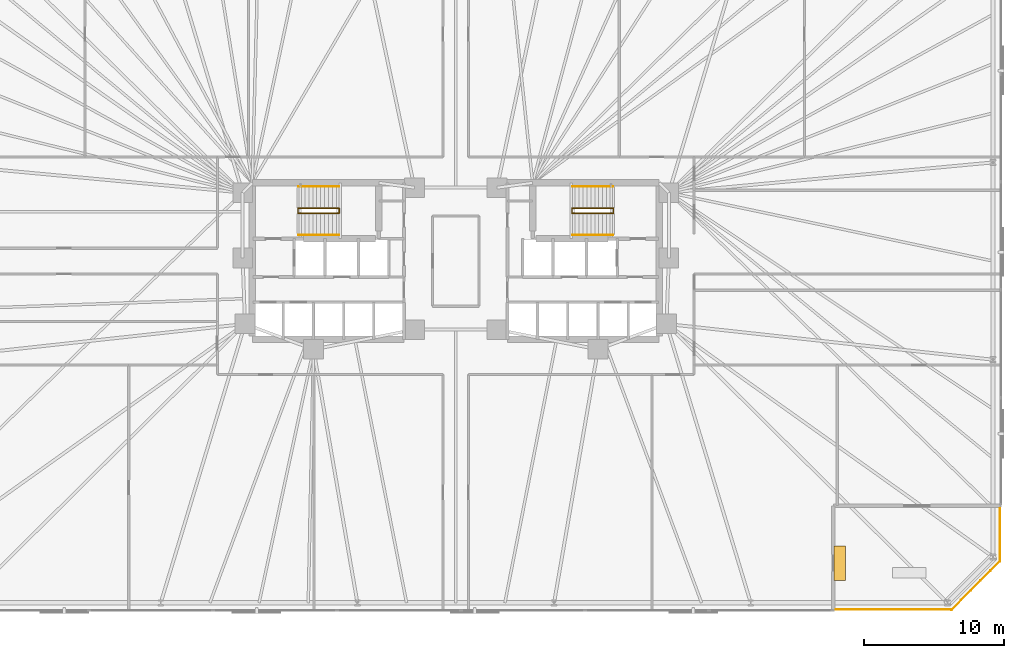
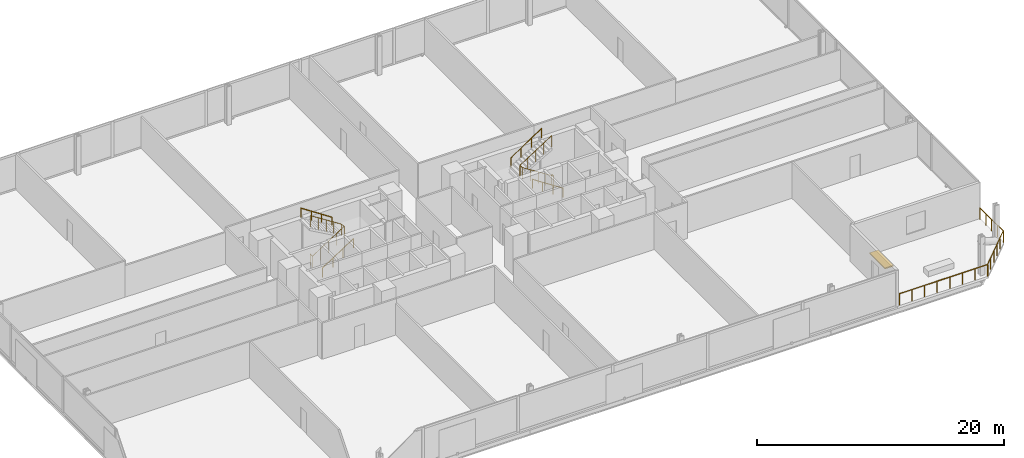
# One storey, part 17 of 17: 9 railings, 1 shading device.
"""IFC4 building model written with IfcOpenShell, lengths in metres."""

import ifcopenshell
import ifcopenshell.guid

model = None  # the IFC model being written
_history = None  # IfcOwnerHistory: only IFC2X3 demands one
_inside = {}  # id of a spatial element -> (the spatial element, [elements in it])
_under = {}  # id of a project, library or spatial element -> (it, [spatial elements below it])
_declared = {}  # id of a project -> (the project, [libraries it declares])
_typed = {}  # id of a type object -> (the type object, [elements of that type])
_made_of = {}  # id of a material, layer set ... -> (it, [elements and type objects made of it])


def new_model(schema):
    """Start an empty IFC model of exactly this schema.

    Asked for "IFC4X3", IfcOpenShell would pick the latest addendum, in which some entities
    have other attributes; the version numbers below select the first issue.
    IFC2X3 requires an IfcOwnerHistory on every rooted entity: one is made here for all.
    """
    global model, _history
    if schema == "IFC4X3":
        model = ifcopenshell.file(schema_version=(4, 3, 0, 0))
    else:
        model = ifcopenshell.file(schema=schema)
    _inside.clear()
    _under.clear()
    _declared.clear()
    _typed.clear()
    _made_of.clear()
    _history = None
    if model.schema == "IFC2X3":
        org = make("IfcOrganization", Name="unknown")
        user = make(
            "IfcPersonAndOrganization",
            ThePerson=make("IfcPerson", FamilyName="unknown"),
            TheOrganization=org,
        )
        app = make(
            "IfcApplication",
            ApplicationDeveloper=org,
            Version="unknown",
            ApplicationFullName="unknown",
            ApplicationIdentifier="unknown",
        )
        _history = make(
            "IfcOwnerHistory",
            OwningUser=user,
            OwningApplication=app,
            ChangeAction="ADDED",
            CreationDate=0,
        )
    return model


def make(cls, **values):
    """One entity of the class cls with the attributes given. An attribute that is None is left unset."""
    return model.create_entity(
        cls, **{name: value for name, value in values.items() if value is not None}
    )


def rooted(cls, **values):
    """An entity with a GlobalId (a new one), such as an element, a storey or a relation."""
    return make(cls, GlobalId=ifcopenshell.guid.new(), OwnerHistory=_history, **values)


def si_unit(unit_type, name, prefix=None):
    """IfcSIUnit, for example si_unit("LENGTHUNIT", "METRE", prefix="MILLI")."""
    return make("IfcSIUnit", UnitType=unit_type, Prefix=prefix, Name=name)


def assignment(units):
    """IfcUnitAssignment: the units of a project."""
    return None if units is None else make("IfcUnitAssignment", Units=units)


def point(xyz):
    """IfcCartesianPoint."""
    return None if xyz is None else make("IfcCartesianPoint", Coordinates=xyz)


def direction(xyz):
    """IfcDirection."""
    return None if xyz is None else make("IfcDirection", DirectionRatios=xyz)


def frame(location, z_axis=None, x_axis=None):
    """IfcAxis2Placement3D, a coordinate frame: its origin and axes. An axis left out is left unset."""
    return make(
        "IfcAxis2Placement3D",
        Location=point(location),
        Axis=direction(z_axis),
        RefDirection=direction(x_axis),
    )


def frame_2d(location, x_axis=None):
    """IfcAxis2Placement2D, a coordinate frame in the plane: its origin and x axis."""
    return make(
        "IfcAxis2Placement2D", Location=point(location), RefDirection=direction(x_axis)
    )


def origin():
    """The frame at (0, 0, 0) with its axes left unset."""
    return frame((0.0, 0.0, 0.0))


def origin_2d():
    """The frame at (0, 0) in the plane with its x axis left unset."""
    return frame_2d((0.0, 0.0))


def place(relative_to, where):
    """IfcLocalPlacement: puts the frame where relative to a parent placement (None: the world)."""
    return make(
        "IfcLocalPlacement", PlacementRelTo=relative_to, RelativePlacement=where
    )


def context(
    kind, dimensions, precision=None, world=None, true_north=None, identifier=None
):
    """IfcGeometricRepresentationContext, for example the 3D "Model" context."""
    return make(
        "IfcGeometricRepresentationContext",
        ContextIdentifier=identifier,
        ContextType=kind,
        CoordinateSpaceDimension=dimensions,
        Precision=precision,
        WorldCoordinateSystem=world,
        TrueNorth=true_north,
    )


def subcontext(parent, identifier, kind, view, scale=None):
    """IfcGeometricRepresentationSubContext, for example "Body" below "Model"."""
    return make(
        "IfcGeometricRepresentationSubContext",
        ContextIdentifier=identifier,
        ContextType=kind,
        ParentContext=parent,
        TargetScale=scale,
        TargetView=view,
    )


def project(units=None, contexts=None):
    """IfcProject with its units and contexts."""
    return rooted(
        "IfcProject",
        Name="project",
        RepresentationContexts=contexts,
        UnitsInContext=assignment(units),
    )


def spatial(cls, under=None, at=None, **own):
    """A site, building, storey or space (cls), placed at a placement, below another one or the project."""
    s = rooted(cls, ObjectPlacement=at, **own)
    if under is not None:
        _under.setdefault(under.id(), (under, []))[1].append(s)
    return s


def profile(cls, at=None, kind="AREA", **sizes):
    """A parametric profile (cls). Its sizes go by their IFC names, for example OverallWidth=200.0."""
    return make(cls, ProfileType=kind, Position=at, **sizes)


def rectangle(**sizes):
    """IfcRectangleProfileDef."""
    return profile("IfcRectangleProfileDef", **sizes)


def circle(**sizes):
    """IfcCircleProfileDef."""
    return profile("IfcCircleProfileDef", **sizes)


def extrude(swept, where, along, depth):
    """IfcExtrudedAreaSolid: the profile swept, set in the frame where, extruded along a direction by depth."""
    return make(
        "IfcExtrudedAreaSolid",
        SweptArea=swept,
        Position=where,
        ExtrudedDirection=direction(along),
        Depth=depth,
    )


def shape(context_of_items, identifier, shape_type, items):
    """IfcShapeRepresentation: the items that make up one representation, for example the "Body"."""
    return make(
        "IfcShapeRepresentation",
        ContextOfItems=context_of_items,
        RepresentationIdentifier=identifier,
        RepresentationType=shape_type,
        Items=items,
    )


def material(Name=None, Category=None):
    """IfcMaterial."""
    return make("IfcMaterial", Name=Name, Category=Category)


def layer(
    of_material, thickness, ventilated=None, Name=None, Category=None, Priority=None
):
    """IfcMaterialLayer: one layer of a wall or slab, of a material (None: an air gap)."""
    return make(
        "IfcMaterialLayer",
        Material=of_material,
        LayerThickness=thickness,
        IsVentilated=ventilated,
        Name=Name,
        Category=Category,
        Priority=Priority,
    )


def layer_set(layers, Name=None):
    """IfcMaterialLayerSet."""
    return make("IfcMaterialLayerSet", MaterialLayers=layers, LayerSetName=Name)


def made_of(thing, what):
    """Note that an element or type object is made of a material, layer set ...; save() writes the relation."""
    if what is not None:
        _made_of.setdefault(what.id(), (what, []))[1].append(thing)
    return thing


def type_object(cls, material=None, **own):
    """A type object (cls), such as IfcWallType, which elements share."""
    return made_of(rooted(cls, **own), material)


def element(
    cls,
    number,
    at=None,
    inside=None,
    cuts=None,
    type_object=None,
    material=None,
    context=None,
    identifier="Body",
    shape_type=None,
    held_by="IfcProductDefinitionShape",
    body=None,
    shapes=None,
    **own,
):
    """One element of the class cls, such as IfcWall. Its Tag is "e" and its number.

    at: its placement. inside: the storey or other place that contains it. cuts: it is an
    opening in that element (IfcRelVoidsElement). A single representation is given by context,
    identifier, shape_type and body (its items); several are given by shapes. held_by: the class
    of the entity that holds the representations. save() writes the other relations.
    """
    e = rooted(cls, Tag="e%d" % number, ObjectPlacement=at, **own)
    if body is not None:
        shapes = [shape(context, identifier, shape_type, body)]
    if shapes is not None:
        e.Representation = make(held_by, Representations=shapes)
    if inside is not None:
        _inside.setdefault(inside.id(), (inside, []))[1].append(e)
    if cuts is not None:
        rooted(
            "IfcRelVoidsElement", RelatingBuildingElement=cuts, RelatedOpeningElement=e
        )
    if type_object is not None:
        _typed.setdefault(type_object.id(), (type_object, []))[1].append(e)
    return made_of(e, material)


def aggregate(whole, parts):
    """IfcRelAggregates: a whole, such as a stair, and the parts it consists of."""
    return rooted("IfcRelAggregates", RelatingObject=whole, RelatedObjects=parts)


def save(model, path):
    """Write the relations noted so far, then the file.

    IfcRelAggregates (storeys below a building ...), IfcRelContainedInSpatialStructure (elements
    in a storey), IfcRelDefinesByType, IfcRelAssociatesMaterial and IfcRelDeclares: one each for
    every whole, place, type object, material and project.
    """
    for whole, parts in _under.values():
        aggregate(whole, parts)
    for where, things in _inside.values():
        rooted(
            "IfcRelContainedInSpatialStructure",
            RelatedElements=things,
            RelatingStructure=where,
        )
    for kind, things in _typed.values():
        rooted("IfcRelDefinesByType", RelatedObjects=things, RelatingType=kind)
    for what, things in _made_of.values():
        rooted("IfcRelAssociatesMaterial", RelatedObjects=things, RelatingMaterial=what)
    for by, libraries in _declared.values():
        rooted("IfcRelDeclares", RelatingContext=by, RelatedDefinitions=libraries)
    model.write(path)


model = new_model("IFC4")

# Units and contexts
model_context = context("Model", 3, precision=1e-05, world=origin(), true_north=direction((0.0, 1.0)))
body_context = subcontext(model_context, "Body", "Model", "MODEL_VIEW")
ifc_project = project(units=[si_unit("LENGTHUNIT", "METRE"), si_unit("AREAUNIT", "SQUARE_METRE"), si_unit("VOLUMEUNIT", "CUBIC_METRE"), si_unit("PLANEANGLEUNIT", "RADIAN"), si_unit("MASSUNIT", "GRAM", prefix="KILO")], contexts=[model_context])

# Site, building, storey
site_placement = place(None, origin())
site = spatial("IfcSite", under=ifc_project, at=site_placement, CompositionType="ELEMENT")
building_placement = place(site_placement, origin())
building = spatial("IfcBuilding", under=site, at=building_placement, Name="Menara Jurai Vektor", CompositionType="ELEMENT")
storey_placement = place(building_placement, frame((0.0, 0.0, 44.60009765625)))
storey = spatial("IfcBuildingStorey", under=building, at=storey_placement, Name="L10", CompositionType="ELEMENT", Elevation=44.60009765625)

# Railings
ifc_material_1 = material(Name="Anodised Pale Aluminium & Laminated Glass Guardrail", Category="aluminium")
ifc_layer = layer(ifc_material_1, 0.070068359375)
ifc_layer_set = layer_set([ifc_layer], Name="Anodised Pale Aluminium & Laminated Glass Guardrail")
railing_type_1 = type_object("IfcRailingType", Name="ENV-RAIL-TER115", PredefinedType="GUARDRAIL", material=ifc_layer_set)
railing_1_placement = place(storey_placement, frame((27.219970703125, -24.93994140625, 0.0)))
element("IfcRailing", 1, at=railing_1_placement, inside=storey, type_object=railing_type_1, Name="Spiral Terrace Guardrail L10-CRN-01", PredefinedType="GUARDRAIL", context=body_context, shape_type="SweptSolid", body=[
    extrude(circle(Radius=0.02392578125, at=origin_2d()), frame((0.0, 0.0, 1.1259765625), z_axis=(1.0, 0.0, 0.0), x_axis=(0.0, 1.0, 0.0)), (0.0, 0.0, 1.0), 8.280029296875),
    extrude(circle(Radius=0.02099609375, at=origin_2d()), origin(), (0.0, 0.0, 1.0), 1.101806640625),
    extrude(circle(Radius=0.02099609375, at=origin_2d()), frame((1.182861328125, 0.0, 0.0)), (0.0, 0.0, 1.0), 1.101806640625),
    extrude(circle(Radius=0.02099609375, at=origin_2d()), frame((2.36572265625, 0.0, 0.0)), (0.0, 0.0, 1.0), 1.101806640625),
    extrude(circle(Radius=0.02099609375, at=origin_2d()), frame((3.548583984375, 0.0, 0.0)), (0.0, 0.0, 1.0), 1.101806640625),
    extrude(circle(Radius=0.02099609375, at=origin_2d()), frame((4.7314453125, 0.0, 0.0)), (0.0, 0.0, 1.0), 1.101806640625),
    extrude(circle(Radius=0.02099609375, at=origin_2d()), frame((5.914306640625, 0.0, 0.0)), (0.0, 0.0, 1.0), 1.101806640625),
    extrude(circle(Radius=0.02099609375, at=origin_2d()), frame((7.09716796875, 0.0, 0.0)), (0.0, 0.0, 1.0), 1.101806640625),
    extrude(circle(Radius=0.02099609375, at=origin_2d()), frame((8.280029296875, 0.0, 0.0)), (0.0, 0.0, 1.0), 1.101806640625),
])
railing_2_placement = place(storey_placement, frame((35.45751953125, -24.95751953125, 0.0)))
element("IfcRailing", 2, at=railing_2_placement, inside=storey, type_object=railing_type_1, Name="Spiral Terrace Guardrail L10-CRN-02", PredefinedType="GUARDRAIL", context=body_context, shape_type="SweptSolid", body=[
    extrude(circle(Radius=0.02392578125, at=origin_2d()), frame((0.0, 0.0, 1.1259765625), z_axis=(0.707106781187, 0.707106781187, 0.0), x_axis=(-0.707106781187, 0.707106781187, 0.0)), (0.0, 0.0, 1.0), 4.94970703125),
    extrude(circle(Radius=0.02099609375, at=origin_2d()), origin(), (0.0, 0.0, 1.0), 1.101806640625),
    extrude(circle(Radius=0.02099609375, at=origin_2d()), frame((0.699951171875, 0.699951171875, 0.0)), (0.0, 0.0, 1.0), 1.101806640625),
    extrude(circle(Radius=0.02099609375, at=origin_2d()), frame((1.39990234375, 1.39990234375, 0.0)), (0.0, 0.0, 1.0), 1.101806640625),
    extrude(circle(Radius=0.02099609375, at=origin_2d()), frame((2.10009765625, 2.10009765625, 0.0)), (0.0, 0.0, 1.0), 1.101806640625),
    extrude(circle(Radius=0.02099609375, at=origin_2d()), frame((2.800048828125, 2.800048828125, 0.0)), (0.0, 0.0, 1.0), 1.101806640625),
    extrude(circle(Radius=0.02099609375, at=origin_2d()), frame((3.5, 3.5, 0.0)), (0.0, 0.0, 1.0), 1.101806640625),
])
railing_3_placement = place(storey_placement, frame((38.93994140625, -21.5, 0.0)))
element("IfcRailing", 3, at=railing_3_placement, inside=storey, type_object=railing_type_1, Name="Spiral Terrace Guardrail L10-CRN-03", PredefinedType="GUARDRAIL", context=body_context, shape_type="SweptSolid", body=[
    extrude(circle(Radius=0.02392578125, at=origin_2d()), frame((0.0, 0.0, 1.1259765625), z_axis=(0.0, 1.0, 0.0), x_axis=(-1.0, 0.0, 0.0)), (0.0, 0.0, 1.0), 3.780029296875),
    extrude(circle(Radius=0.02099609375, at=origin_2d()), origin(), (0.0, 0.0, 1.0), 1.101806640625),
    extrude(circle(Radius=0.02099609375, at=origin_2d()), frame((0.0, 0.945068359375, 0.0)), (0.0, 0.0, 1.0), 1.101806640625),
    extrude(circle(Radius=0.02099609375, at=origin_2d()), frame((0.0, 1.89013671875, 0.0)), (0.0, 0.0, 1.0), 1.101806640625),
    extrude(circle(Radius=0.02099609375, at=origin_2d()), frame((0.0, 2.8349609375, 0.0)), (0.0, 0.0, 1.0), 1.101806640625),
    extrude(circle(Radius=0.02099609375, at=origin_2d()), frame((0.0, 3.780029296875, 0.0)), (0.0, 0.0, 1.0), 1.101806640625),
])

# Shading device
ifc_material_2 = material(Name="Anodised Pale Aluminium Sunshade Blade", Category="aluminium")
shading_device_type = type_object("IfcShadingDeviceType", Name="ENV-SHD-SUNSHADE", PredefinedType="USERDEFINED", material=ifc_material_2)
shading_device_placement = place(storey_placement, frame((27.47998046875, -21.6220703125, 2.33984375), z_axis=(0.0, 0.0, 1.0), x_axis=(0.0, 1.0, 0.0)))
element("IfcShadingDevice", 4, at=shading_device_placement, inside=storey, type_object=shading_device_type, Name="Doorway Pale-Metal Sunshade L10-TER", ObjectType="SUNSHADE", PredefinedType="USERDEFINED", context=body_context, shape_type="SweptSolid", body=[
    extrude(rectangle(XDim=2.5, YDim=0.800048828125, at=origin_2d()), origin(), (0.0, 0.0, 1.0), 0.1201171875),
])

# Railings
ifc_material_3 = material(Name="Painted Galvanised Steel Balustrade", Category="steel")
railing_type_2 = type_object("IfcRailingType", Name="RAIL-STAIR-GUARD", PredefinedType="GUARDRAIL", material=ifc_material_3)
railing_4_placement = place(storey_placement, frame((-11.2900390625, 3.780029296875, 0.0)))
element("IfcRailing", 5, at=railing_4_placement, inside=storey, type_object=railing_type_2, Name="ST1 Stair Guardrail 1 L10", PredefinedType="GUARDRAIL", context=body_context, shape_type="SweptSolid", body=[
    extrude(circle(Radius=0.02392578125, at=origin_2d()), frame((0.0, 0.0, 1.1259765625), z_axis=(0.0, -1.0, 0.0), x_axis=(1.0, 0.0, 0.0)), (0.0, 0.0, 1.0), 0.360107421875),
    extrude(circle(Radius=0.02392578125, at=origin_2d()), frame((0.0, -0.360107421875, 1.1259765625), z_axis=(0.841557155905, 0.0, 0.540168078791), x_axis=(0.0, 1.0, 0.0)), (0.0, 0.0, 1.0), 3.517333984375),
    extrude(circle(Radius=0.02392578125, at=origin_2d()), frame((2.9599609375, -0.360107421875, 3.02587890625), z_axis=(0.0, 1.0, 0.0), x_axis=(-1.0, 0.0, 0.0)), (0.0, 0.0, 1.0), 0.360107421875),
    extrude(circle(Radius=0.02392578125, at=origin_2d()), frame((2.9599609375, 0.0, 3.02587890625), z_axis=(-0.841557155905, 0.0, 0.540168078791), x_axis=(0.0, -1.0, 0.0)), (0.0, 0.0, 1.0), 3.517333984375),
    extrude(circle(Radius=0.02099609375, at=origin_2d()), origin(), (0.0, 0.0, 1.0), 1.101806640625),
    extrude(circle(Radius=0.02099609375, at=origin_2d()), frame((0.0, -0.360107421875, 0.0)), (0.0, 0.0, 1.0), 1.101806640625),
    extrude(circle(Radius=0.02099609375, at=origin_2d()), frame((0.739990234375, -0.360107421875, 0.47509765625)), (0.0, 0.0, 1.0), 1.101806640625),
    extrude(circle(Radius=0.02099609375, at=origin_2d()), frame((1.47998046875, -0.360107421875, 0.949951171875)), (0.0, 0.0, 1.0), 1.101806640625),
    extrude(circle(Radius=0.02099609375, at=origin_2d()), frame((2.219970703125, -0.360107421875, 1.4248046875)), (0.0, 0.0, 1.0), 1.101806640625),
    extrude(circle(Radius=0.02099609375, at=origin_2d()), frame((2.9599609375, -0.360107421875, 1.89990234375)), (0.0, 0.0, 1.0), 1.101806640625),
    extrude(circle(Radius=0.02099609375, at=origin_2d()), frame((2.9599609375, 0.0, 1.89990234375)), (0.0, 0.0, 1.0), 1.101806640625),
    extrude(circle(Radius=0.02099609375, at=origin_2d()), frame((2.219970703125, 0.0, 2.375)), (0.0, 0.0, 1.0), 1.101806640625),
    extrude(circle(Radius=0.02099609375, at=origin_2d()), frame((1.47998046875, 0.0, 2.849853515625)), (0.0, 0.0, 1.0), 1.101806640625),
    extrude(circle(Radius=0.02099609375, at=origin_2d()), frame((0.739990234375, 0.0, 3.32470703125)), (0.0, 0.0, 1.0), 1.101806640625),
    extrude(circle(Radius=0.02099609375, at=origin_2d()), frame((0.0, 0.0, 3.7998046875)), (0.0, 0.0, 1.0), 1.101806640625),
])
railing_5_placement = place(storey_placement, frame((11.2900390625, 3.780029296875, 0.0)))
element("IfcRailing", 6, at=railing_5_placement, inside=storey, type_object=railing_type_2, Name="ST2 Stair Guardrail 1 L10", PredefinedType="GUARDRAIL", context=body_context, shape_type="SweptSolid", body=[
    extrude(circle(Radius=0.02392578125, at=origin_2d()), frame((0.0, 0.0, 1.1259765625), z_axis=(0.0, -1.0, 0.0), x_axis=(1.0, 0.0, 0.0)), (0.0, 0.0, 1.0), 0.360107421875),
    extrude(circle(Radius=0.02392578125, at=origin_2d()), frame((0.0, -0.360107421875, 1.1259765625), z_axis=(-0.841557155905, 0.0, 0.540168078791), x_axis=(0.0, -1.0, 0.0)), (0.0, 0.0, 1.0), 3.517333984375),
    extrude(circle(Radius=0.02392578125, at=origin_2d()), frame((-2.9599609375, -0.360107421875, 3.02587890625), z_axis=(0.0, 1.0, 0.0), x_axis=(-1.0, 0.0, 0.0)), (0.0, 0.0, 1.0), 0.360107421875),
    extrude(circle(Radius=0.02392578125, at=origin_2d()), frame((-2.9599609375, 0.0, 3.02587890625), z_axis=(0.841557155905, 0.0, 0.540168078791), x_axis=(0.0, 1.0, 0.0)), (0.0, 0.0, 1.0), 3.517333984375),
    extrude(circle(Radius=0.02099609375, at=origin_2d()), origin(), (0.0, 0.0, 1.0), 1.101806640625),
    extrude(circle(Radius=0.02099609375, at=origin_2d()), frame((0.0, -0.360107421875, 0.0)), (0.0, 0.0, 1.0), 1.101806640625),
    extrude(circle(Radius=0.02099609375, at=origin_2d()), frame((-0.739990234375, -0.360107421875, 0.47509765625)), (0.0, 0.0, 1.0), 1.101806640625),
    extrude(circle(Radius=0.02099609375, at=origin_2d()), frame((-1.47998046875, -0.360107421875, 0.949951171875)), (0.0, 0.0, 1.0), 1.101806640625),
    extrude(circle(Radius=0.02099609375, at=origin_2d()), frame((-2.219970703125, -0.360107421875, 1.4248046875)), (0.0, 0.0, 1.0), 1.101806640625),
    extrude(circle(Radius=0.02099609375, at=origin_2d()), frame((-2.9599609375, -0.360107421875, 1.89990234375)), (0.0, 0.0, 1.0), 1.101806640625),
    extrude(circle(Radius=0.02099609375, at=origin_2d()), frame((-2.9599609375, 0.0, 1.89990234375)), (0.0, 0.0, 1.0), 1.101806640625),
    extrude(circle(Radius=0.02099609375, at=origin_2d()), frame((-2.219970703125, 0.0, 2.375)), (0.0, 0.0, 1.0), 1.101806640625),
    extrude(circle(Radius=0.02099609375, at=origin_2d()), frame((-1.47998046875, 0.0, 2.849853515625)), (0.0, 0.0, 1.0), 1.101806640625),
    extrude(circle(Radius=0.02099609375, at=origin_2d()), frame((-0.739990234375, 0.0, 3.32470703125)), (0.0, 0.0, 1.0), 1.101806640625),
    extrude(circle(Radius=0.02099609375, at=origin_2d()), frame((0.0, 0.0, 3.7998046875)), (0.0, 0.0, 1.0), 1.101806640625),
])
ifc_material_4 = material(Name="Brushed Stainless Steel Handrail", Category="steel")
railing_type_3 = type_object("IfcRailingType", Name="RAIL-STAIR-HAND", PredefinedType="HANDRAIL", material=ifc_material_4)
railing_6_placement = place(storey_placement, frame((-11.25, 1.860107421875, 0.0)))
element("IfcRailing", 7, at=railing_6_placement, inside=storey, type_object=railing_type_3, Name="ST1 Stair Handrail 1 L10", PredefinedType="HANDRAIL", context=body_context, shape_type="SweptSolid", body=[
    extrude(circle(Radius=0.02392578125, at=origin_2d()), frame((0.0, 0.0, 0.89599609375), z_axis=(0.834718698933, 0.0, 0.550676578085), x_axis=(0.0, 1.0, 0.0)), (0.0, 0.0, 1.0), 3.4501953125),
    extrude(circle(Radius=0.02099609375, at=origin_2d()), origin(), (0.0, 0.0, 1.0), 0.871826171875),
    extrude(circle(Radius=0.02099609375, at=origin_2d()), frame((0.9599609375, 0.0, 0.63330078125)), (0.0, 0.0, 1.0), 0.871826171875),
    extrude(circle(Radius=0.02099609375, at=origin_2d()), frame((1.919921875, 0.0, 1.2666015625)), (0.0, 0.0, 1.0), 0.871826171875),
    extrude(circle(Radius=0.02099609375, at=origin_2d()), frame((2.8798828125, 0.0, 1.89990234375)), (0.0, 0.0, 1.0), 0.871826171875),
])
for number, where, name in (
    (8, (-8.3701171875, 5.340087890625, 1.89990234375), "ST1 Stair Handrail 2 L10"),
    (9, (11.25, 1.860107421875, 0.0), "ST2 Stair Handrail 1 L10"),
):
    element("IfcRailing", number, at=place(storey_placement, frame(where)), inside=storey, type_object=railing_type_3, Name=name, PredefinedType="HANDRAIL", context=body_context, shape_type="SweptSolid", body=[
        extrude(circle(Radius=0.02392578125, at=origin_2d()), frame((0.0, 0.0, 0.89599609375), z_axis=(-0.834718698933, 0.0, 0.550676578085), x_axis=(0.0, -1.0, 0.0)), (0.0, 0.0, 1.0), 3.4501953125),
        extrude(circle(Radius=0.02099609375, at=origin_2d()), origin(), (0.0, 0.0, 1.0), 0.871826171875),
        extrude(circle(Radius=0.02099609375, at=origin_2d()), frame((-0.9599609375, 0.0, 0.63330078125)), (0.0, 0.0, 1.0), 0.871826171875),
        extrude(circle(Radius=0.02099609375, at=origin_2d()), frame((-1.919921875, 0.0, 1.2666015625)), (0.0, 0.0, 1.0), 0.871826171875),
        extrude(circle(Radius=0.02099609375, at=origin_2d()), frame((-2.8798828125, 0.0, 1.89990234375)), (0.0, 0.0, 1.0), 0.871826171875),
    ])
railing_7_placement = place(storey_placement, frame((8.3701171875, 5.340087890625, 1.89990234375)))
element("IfcRailing", 10, at=railing_7_placement, inside=storey, type_object=railing_type_3, Name="ST2 Stair Handrail 2 L10", PredefinedType="HANDRAIL", context=body_context, shape_type="SweptSolid", body=[
    extrude(circle(Radius=0.02392578125, at=origin_2d()), frame((0.0, 0.0, 0.89599609375), z_axis=(0.834718698933, 0.0, 0.550676578085), x_axis=(0.0, 1.0, 0.0)), (0.0, 0.0, 1.0), 3.4501953125),
    extrude(circle(Radius=0.02099609375, at=origin_2d()), origin(), (0.0, 0.0, 1.0), 0.871826171875),
    extrude(circle(Radius=0.02099609375, at=origin_2d()), frame((0.9599609375, 0.0, 0.63330078125)), (0.0, 0.0, 1.0), 0.871826171875),
    extrude(circle(Radius=0.02099609375, at=origin_2d()), frame((1.919921875, 0.0, 1.2666015625)), (0.0, 0.0, 1.0), 0.871826171875),
    extrude(circle(Radius=0.02099609375, at=origin_2d()), frame((2.8798828125, 0.0, 1.89990234375)), (0.0, 0.0, 1.0), 0.871826171875),
])

save(model, "model.ifc")
